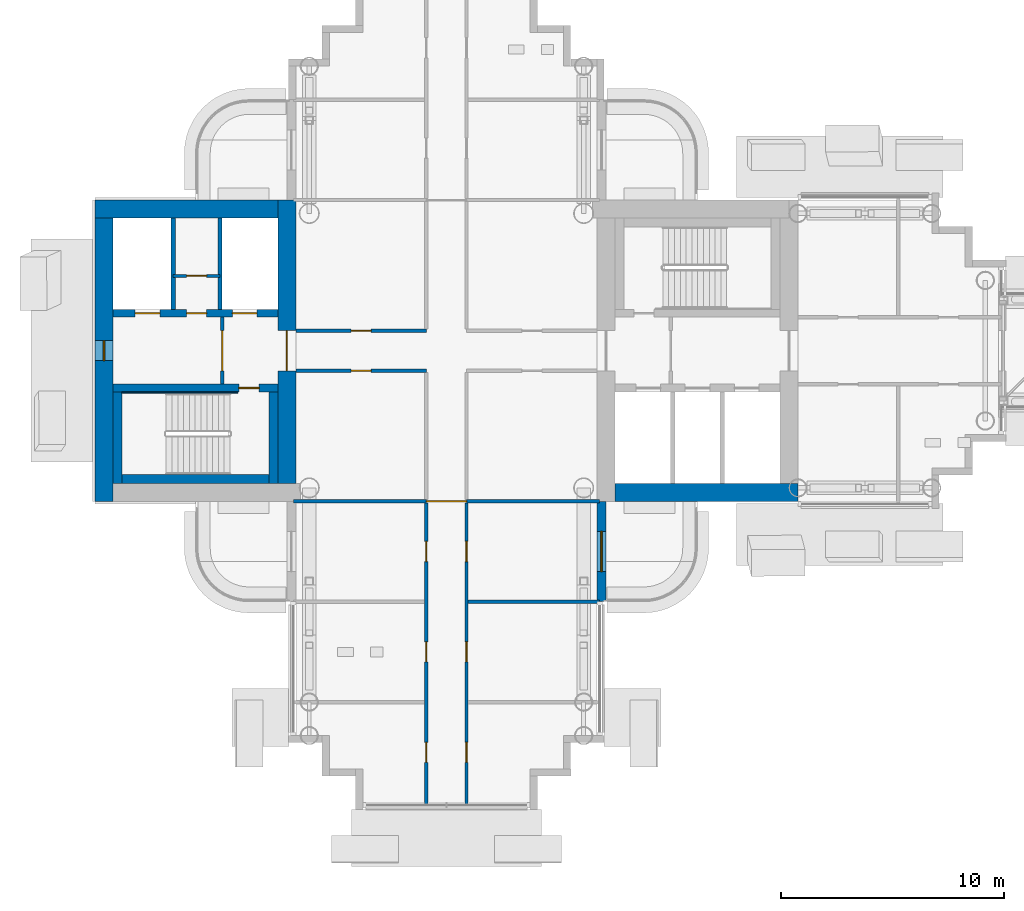
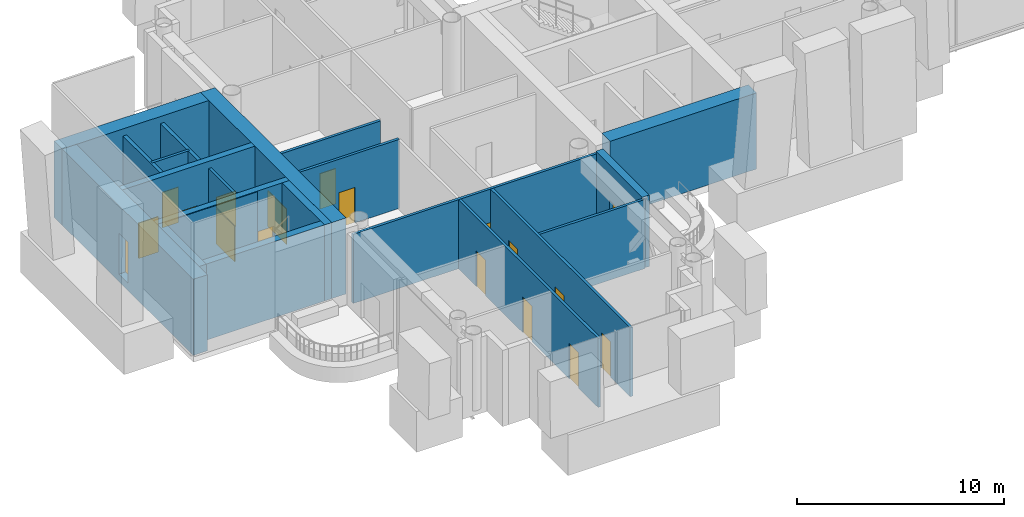
# One storey, part 12 of 26: 21 walls, 17 doors, 1 window, 18 openings.
"""IFC4 building model written with IfcOpenShell, lengths in metres."""

from ifc_helpers import new_model, si_unit, direction, frame, frame_2d, origin, place, context, subcontext, project, spatial, rectangle, extrude, material, layer, layer_set, type_object, element, fill, save


model = new_model("IFC4")

# Units and contexts
model_context = context("Model", 3, precision=1e-05, world=origin(), true_north=direction((0.0, 1.0)))
body_context = subcontext(model_context, "Body", "Model", "MODEL_VIEW")
ifc_project = project(units=[si_unit("LENGTHUNIT", "METRE"), si_unit("AREAUNIT", "SQUARE_METRE"), si_unit("VOLUMEUNIT", "CUBIC_METRE"), si_unit("PLANEANGLEUNIT", "RADIAN"), si_unit("MASSUNIT", "GRAM", prefix="KILO")], contexts=[model_context])

# Site, building, storey
site_placement = place(None, origin())
site = spatial("IfcSite", under=ifc_project, at=site_placement, CompositionType="ELEMENT")
building_placement = place(site_placement, origin())
building = spatial("IfcBuilding", under=site, at=building_placement, Name="Ipe Terrace Towers", CompositionType="ELEMENT")
storey_placement = place(building_placement, frame((0.0, 0.0, 181.300048828125)))
storey = spatial("IfcBuildingStorey", under=building, at=storey_placement, Name="L50", CompositionType="ELEMENT", Elevation=181.300048828125)

# Wall, opening, door
ifc_material_1 = material(Name="Concrete C40/50 with buff precast cladding", Category="concrete")
ifc_layer_1 = layer(ifc_material_1, 0.39990234375)
ifc_layer_set_1 = layer_set([ifc_layer_1], Name="BALCONY BAY WALL 400")
wall_type_1 = type_object("IfcWallType", Name="BALCONY BAY WALL 400", PredefinedType="STANDARD", material=ifc_layer_set_1)
wall_1_placement = place(storey_placement, frame((-29.050048828125, -11.25, -0.02001953125), z_axis=(0.0, 0.0, 1.0), x_axis=(0.0, 1.0, 0.0)))
wall_1 = element("IfcWall", 1, at=wall_1_placement, inside=storey, type_object=wall_type_1, Name="T1-W-L50-14a wall", PredefinedType="STANDARD", context=body_context, shape_type="SweptSolid", body=[
    extrude(rectangle(XDim=4.5, YDim=0.39990234375, at=frame_2d((2.25, 0.0))), origin(), (0.0, 0.0, 1.0), 4.219970703125),
])
opening_1_placement = place(wall_1_placement, frame((1.35009765625, 0.0, 0.02001953125)))
opening_1 = element("IfcOpeningElement", 2, at=opening_1_placement, cuts=wall_1, Name="Opening T1-D-L50-14", PredefinedType="OPENING", context=body_context, shape_type="SweptSolid", body=[
    extrude(rectangle(XDim=1.800048828125, YDim=2.10009765625, at=frame_2d((0.89990234375, 1.050048828125))), frame((0.0, 0.2099609375, 0.0), z_axis=(0.0, -1.0, 0.0), x_axis=(1.0, 0.0, 0.0)), (0.0, 0.0, 1.0), 0.419921875),
])
ifc_material_2 = material(Name="Aluminium alloy 6063-T6 framed glazed door", Category="aluminium")
door_type_1 = type_object("IfcDoorType", Name="BALCONY DOOR 1800 x 2100 LEFT", OperationType="SINGLE_SWING_LEFT", PredefinedType="DOOR", material=ifc_material_2)
door_1_placement = place(opening_1_placement, origin())
door_1 = element("IfcDoor", 3, at=door_1_placement, inside=storey, type_object=door_type_1, Name="DB1 door", OperationType="SINGLE_SWING_LEFT", OverallHeight=2.10009765625, OverallWidth=1.800048828125, PredefinedType="DOOR", context=body_context, shape_type="SweptSolid", body=[
    extrude(rectangle(XDim=1.800048828125, YDim=2.10009765625, at=frame_2d((0.89990234375, 1.050048828125))), frame((0.0, 0.02490234375, 0.0), z_axis=(0.0, -1.0, 0.0), x_axis=(1.0, 0.0, 0.0)), (0.0, 0.0, 1.0), 0.050048828125),
])
fill(opening_1, door_1)

ifc_material_3 = material(Name="Gypsum board partition", Category="plasterboard")
ifc_layer_2 = layer(ifc_material_3, 0.14990234375)
ifc_layer_set_2 = layer_set([ifc_layer_2], Name="Gypsum board partition 150 mm")
wall_type_2 = type_object("IfcWallType", Name="Gypsum board partition 150 mm", PredefinedType="PARTITIONING", material=ifc_layer_set_2)
wall_2_placement = place(storey_placement, frame((-46.050048828125, 1.5, 0.0), z_axis=(0.0, 0.0, 1.0), x_axis=(0.0, -1.0, 0.0)))
wall_2 = element("IfcWall", 4, at=wall_2_placement, inside=storey, type_object=wall_type_2, Name="Gypsum board partition T1 L50 t1c2-lobby-wall", PredefinedType="PARTITIONING", context=body_context, shape_type="SweptSolid", body=[
    extrude(rectangle(XDim=3.0, YDim=0.14990234375, at=frame_2d((1.5, 0.0))), origin(), (0.0, 0.0, 1.0), 4.079833984375),
])
opening_2_placement = place(wall_2_placement, frame((0.60009765625, 0.0, 0.0)))
opening_2 = element("IfcOpeningElement", 5, at=opening_2_placement, cuts=wall_2, Name="Opening T1C2-VD", PredefinedType="OPENING", context=body_context, shape_type="SweptSolid", body=[
    extrude(rectangle(XDim=1.800048828125, YDim=2.10009765625, at=frame_2d((0.89990234375, 1.050048828125))), frame((0.0, 0.0849609375, 0.0), z_axis=(0.0, -1.0, 0.0), x_axis=(1.0, 0.0, 0.0)), (0.0, 0.0, 1.0), 0.169921875),
])
ifc_material_4 = material(Name="Fire-rated timber door leaf", Category="wood")
door_type_2 = type_object("IfcDoorType", Name="Lobby door 1800 x 2100 FD60", OperationType="NOTDEFINED", PredefinedType="DOOR", material=ifc_material_4)
door_2_placement = place(opening_2_placement, origin())
door_2 = element("IfcDoor", 6, at=door_2_placement, inside=storey, type_object=door_type_2, Name="Lobby door T1C2-VD", OperationType="SINGLE_SWING_LEFT", OverallHeight=2.10009765625, OverallWidth=1.800048828125, PredefinedType="DOOR", context=body_context, shape_type="SweptSolid", body=[
    extrude(rectangle(XDim=1.800048828125, YDim=2.10009765625, at=frame_2d((0.89990234375, 1.050048828125))), frame((0.0, 0.02490234375, 0.0), z_axis=(0.0, -1.0, 0.0), x_axis=(1.0, 0.0, 0.0)), (0.0, 0.0, 1.0), 0.050048828125),
])
fill(opening_2, door_2)

wall_3_placement = place(storey_placement, frame((-46.14990234375, 3.35009765625, 0.0), z_axis=(0.0, 0.0, 1.0), x_axis=(-1.0, 0.0, 0.0)))
wall_3 = element("IfcWall", 7, at=wall_3_placement, inside=storey, type_object=wall_type_2, Name="Gypsum board partition T1 L50 t1c2-q-back", PredefinedType="PARTITIONING", context=body_context, shape_type="SweptSolid", body=[
    extrude(rectangle(XDim=2.10009765625, YDim=0.14990234375, at=frame_2d((1.050048828125, 0.0))), origin(), (0.0, 0.0, 1.0), 4.079833984375),
])
opening_3_placement = place(wall_3_placement, frame((0.60009765625, 0.0, 0.0)))
opening_3 = element("IfcOpeningElement", 8, at=opening_3_placement, cuts=wall_3, Name="Opening T1C2-RB", PredefinedType="OPENING", context=body_context, shape_type="SweptSolid", body=[
    extrude(rectangle(XDim=0.89990234375, YDim=2.10009765625, at=frame_2d((0.449951171875, 1.050048828125))), frame((0.0, 0.0849609375, 0.0), z_axis=(0.0, -1.0, 0.0), x_axis=(1.0, 0.0, 0.0)), (0.0, 0.0, 1.0), 0.169921875),
])
ifc_material_5 = material(Name="Fire-rated timber door leaf", Category="wood")
door_type_3 = type_object("IfcDoorType", Name="Service door 900 x 2100 FD60", OperationType="NOTDEFINED", PredefinedType="DOOR", material=ifc_material_5)
door_3_placement = place(opening_3_placement, origin())
door_3 = element("IfcDoor", 9, at=door_3_placement, inside=storey, type_object=door_type_3, Name="Service door T1C2-RB", OperationType="SINGLE_SWING_LEFT", OverallHeight=2.10009765625, OverallWidth=0.89990234375, PredefinedType="DOOR", context=body_context, shape_type="SweptSolid", body=[
    extrude(rectangle(XDim=0.89990234375, YDim=2.10009765625, at=frame_2d((0.449951171875, 1.050048828125))), frame((0.0, 0.02490234375, 0.0), z_axis=(0.0, -1.0, 0.0), x_axis=(1.0, 0.0, 0.0)), (0.0, 0.0, 1.0), 0.050048828125),
])
fill(opening_3, door_3)

wall_4_placement = place(storey_placement, frame((-42.75, 0.89990234375, 0.0), z_axis=(0.0, 0.0, 1.0), x_axis=(1.0, 0.0, 0.0)))
wall_4 = element("IfcWall", 10, at=wall_4_placement, inside=storey, type_object=wall_type_2, Name="Gypsum board partition T1 L50 sp-hub-qwn-x", PredefinedType="PARTITIONING", context=body_context, shape_type="SweptSolid", body=[
    extrude(rectangle(XDim=5.85009765625, YDim=0.14990234375, at=frame_2d((2.925048828125, 0.0))), origin(), (0.0, 0.0, 1.0), 4.079833984375),
])
opening_4_placement = place(wall_4_placement, frame((2.47509765625, 0.0, 0.0)))
opening_4 = element("IfcOpeningElement", 11, at=opening_4_placement, cuts=wall_4, Name="Opening T1-SP-HWN", PredefinedType="OPENING", context=body_context, shape_type="SweptSolid", body=[
    extrude(rectangle(XDim=0.89990234375, YDim=2.10009765625, at=frame_2d((0.449951171875, 1.050048828125))), frame((0.0, 0.0849609375, 0.0), z_axis=(0.0, -1.0, 0.0), x_axis=(1.0, 0.0, 0.0)), (0.0, 0.0, 1.0), 0.169921875),
])
ifc_material_6 = material(Name="Fire-rated timber door leaf", Category="wood")
door_type_4 = type_object("IfcDoorType", Name="Lounge door 900 x 2100 FD30S", OperationType="NOTDEFINED", PredefinedType="DOOR", material=ifc_material_6)
door_4_placement = place(opening_4_placement, origin())
door_4 = element("IfcDoor", 12, at=door_4_placement, inside=storey, type_object=door_type_4, Name="Lounge door T1-SP-HWN", OperationType="SINGLE_SWING_LEFT", OverallHeight=2.10009765625, OverallWidth=0.89990234375, PredefinedType="DOOR", context=body_context, shape_type="SweptSolid", body=[
    extrude(rectangle(XDim=0.89990234375, YDim=2.10009765625, at=frame_2d((0.449951171875, 1.050048828125))), frame((0.0, 0.02490234375, 0.0), z_axis=(0.0, -1.0, 0.0), x_axis=(1.0, 0.0, 0.0)), (0.0, 0.0, 1.0), 0.050048828125),
])
fill(opening_4, door_4)

wall_5_placement = place(storey_placement, frame((-42.75, -0.89990234375, 0.0), z_axis=(0.0, 0.0, 1.0), x_axis=(1.0, 0.0, 0.0)))
wall_5 = element("IfcWall", 13, at=wall_5_placement, inside=storey, type_object=wall_type_2, Name="Gypsum board partition T1 L50 sp-hub-qws-x", PredefinedType="PARTITIONING", context=body_context, shape_type="SweptSolid", body=[
    extrude(rectangle(XDim=5.85009765625, YDim=0.14990234375, at=frame_2d((2.925048828125, 0.0))), origin(), (0.0, 0.0, 1.0), 4.079833984375),
])
opening_5_placement = place(wall_5_placement, frame((2.47509765625, 0.0, 0.0)))
opening_5 = element("IfcOpeningElement", 14, at=opening_5_placement, cuts=wall_5, Name="Opening T1-SP-HWS", PredefinedType="OPENING", context=body_context, shape_type="SweptSolid", body=[
    extrude(rectangle(XDim=0.89990234375, YDim=2.10009765625, at=frame_2d((0.449951171875, 1.050048828125))), frame((0.0, 0.0849609375, 0.0), z_axis=(0.0, -1.0, 0.0), x_axis=(1.0, 0.0, 0.0)), (0.0, 0.0, 1.0), 0.169921875),
])
door_5_placement = place(opening_5_placement, origin())
door_5 = element("IfcDoor", 15, at=door_5_placement, inside=storey, type_object=door_type_4, Name="Lounge door T1-SP-HWS", OperationType="SINGLE_SWING_RIGHT", OverallHeight=2.10009765625, OverallWidth=0.89990234375, PredefinedType="DOOR", context=body_context, shape_type="SweptSolid", body=[
    extrude(rectangle(XDim=0.89990234375, YDim=2.10009765625, at=frame_2d((0.449951171875, 1.050048828125))), frame((0.0, 0.02490234375, 0.0), z_axis=(0.0, -1.0, 0.0), x_axis=(1.0, 0.0, 0.0)), (0.0, 0.0, 1.0), 0.050048828125),
])
fill(opening_5, door_5)

wall_6_placement = place(storey_placement, frame((-42.85009765625, -6.75, 0.0), z_axis=(0.0, 0.0, 1.0), x_axis=(1.0, 0.0, 0.0)))
wall_6 = element("IfcWall", 16, at=wall_6_placement, inside=storey, type_object=wall_type_2, Name="Gypsum board partition T1 L50 sp-Sm-mouth", PredefinedType="PARTITIONING", context=body_context, shape_type="SweptSolid", body=[
    extrude(rectangle(XDim=13.7001953125, YDim=0.14990234375, at=frame_2d((6.85009765625, 0.0))), origin(), (0.0, 0.0, 1.0), 4.079833984375),
])
opening_6_placement = place(wall_6_placement, frame((5.949951171875, 0.0, 0.0)))
opening_6 = element("IfcOpeningElement", 17, at=opening_6_placement, cuts=wall_6, Name="Opening T1-SP-MSm", PredefinedType="OPENING", context=body_context, shape_type="SweptSolid", body=[
    extrude(rectangle(XDim=1.800048828125, YDim=2.10009765625, at=frame_2d((0.89990234375, 1.050048828125))), frame((0.0, 0.0849609375, 0.0), z_axis=(0.0, -1.0, 0.0), x_axis=(1.0, 0.0, 0.0)), (0.0, 0.0, 1.0), 0.169921875),
])
ifc_material_7 = material(Name="Fire-rated timber door leaf", Category="wood")
door_type_5 = type_object("IfcDoorType", Name="Lobby door 1800 x 2100 FD30S", OperationType="NOTDEFINED", PredefinedType="DOOR", material=ifc_material_7)
door_6_placement = place(opening_6_placement, origin())
door_6 = element("IfcDoor", 18, at=door_6_placement, inside=storey, type_object=door_type_5, Name="Lobby door T1-SP-MSm", OperationType="SINGLE_SWING_RIGHT", OverallHeight=2.10009765625, OverallWidth=1.800048828125, PredefinedType="DOOR", context=body_context, shape_type="SweptSolid", body=[
    extrude(rectangle(XDim=1.800048828125, YDim=2.10009765625, at=frame_2d((0.89990234375, 1.050048828125))), frame((0.0, 0.02490234375, 0.0), z_axis=(0.0, -1.0, 0.0), x_axis=(1.0, 0.0, 0.0)), (0.0, 0.0, 1.0), 0.050048828125),
])
fill(opening_6, door_6)

# Wall, openings, doors
wall_7_placement = place(storey_placement, frame((-35.10009765625, -20.35009765625, 0.0), z_axis=(0.0, 0.0, 1.0), x_axis=(0.0, 1.0, 0.0)))
wall_7 = element("IfcWall", 19, at=wall_7_placement, inside=storey, type_object=wall_type_2, Name="Gypsum board partition T1 L50 sp-Sm-wp", PredefinedType="PARTITIONING", context=body_context, shape_type="SweptSolid", body=[
    extrude(rectangle(XDim=13.525146484375, YDim=0.14990234375, at=frame_2d((6.7626953125, 0.0))), origin(), (0.0, 0.0, 1.0), 4.079833984375),
])
opening_7_placement = place(wall_7_placement, frame((1.89990234375, 0.0, 0.0)))
opening_7 = element("IfcOpeningElement", 20, at=opening_7_placement, cuts=wall_7, Name="Opening T1-SP-PSm1", PredefinedType="OPENING", context=body_context, shape_type="SweptSolid", body=[
    extrude(rectangle(XDim=0.89990234375, YDim=2.10009765625, at=frame_2d((0.449951171875, 1.050048828125))), frame((0.0, 0.0849609375, 0.0), z_axis=(0.0, -1.0, 0.0), x_axis=(1.0, 0.0, 0.0)), (0.0, 0.0, 1.0), 0.169921875),
])
opening_8_placement = place(wall_7_placement, frame((6.39990234375, 0.0, 0.0)))
opening_8 = element("IfcOpeningElement", 21, at=opening_8_placement, cuts=wall_7, Name="Opening T1-SP-PSm2", PredefinedType="OPENING", context=body_context, shape_type="SweptSolid", body=[
    extrude(rectangle(XDim=0.89990234375, YDim=2.10009765625, at=frame_2d((0.449951171875, 1.050048828125))), frame((0.0, 0.0849609375, 0.0), z_axis=(0.0, -1.0, 0.0), x_axis=(1.0, 0.0, 0.0)), (0.0, 0.0, 1.0), 0.169921875),
])
opening_9_placement = place(wall_7_placement, frame((10.89990234375, 0.0, 0.0)))
opening_9 = element("IfcOpeningElement", 22, at=opening_9_placement, cuts=wall_7, Name="Opening T1-SP-PSm3", PredefinedType="OPENING", context=body_context, shape_type="SweptSolid", body=[
    extrude(rectangle(XDim=0.89990234375, YDim=2.10009765625, at=frame_2d((0.449951171875, 1.050048828125))), frame((0.0, 0.0849609375, 0.0), z_axis=(0.0, -1.0, 0.0), x_axis=(1.0, 0.0, 0.0)), (0.0, 0.0, 1.0), 0.169921875),
])
door_7_placement = place(opening_7_placement, origin())
door_7 = element("IfcDoor", 23, at=door_7_placement, inside=storey, type_object=door_type_4, Name="Lounge door T1-SP-PSm1", OperationType="SINGLE_SWING_LEFT", OverallHeight=2.10009765625, OverallWidth=0.89990234375, PredefinedType="DOOR", context=body_context, shape_type="SweptSolid", body=[
    extrude(rectangle(XDim=0.89990234375, YDim=2.10009765625, at=frame_2d((0.449951171875, 1.050048828125))), frame((0.0, 0.02490234375, 0.0), z_axis=(0.0, -1.0, 0.0), x_axis=(1.0, 0.0, 0.0)), (0.0, 0.0, 1.0), 0.050048828125),
])
fill(opening_7, door_7)
door_8_placement = place(opening_8_placement, origin())
door_8 = element("IfcDoor", 24, at=door_8_placement, inside=storey, type_object=door_type_4, Name="Lounge door T1-SP-PSm2", OperationType="SINGLE_SWING_RIGHT", OverallHeight=2.10009765625, OverallWidth=0.89990234375, PredefinedType="DOOR", context=body_context, shape_type="SweptSolid", body=[
    extrude(rectangle(XDim=0.89990234375, YDim=2.10009765625, at=frame_2d((0.449951171875, 1.050048828125))), frame((0.0, 0.02490234375, 0.0), z_axis=(0.0, -1.0, 0.0), x_axis=(1.0, 0.0, 0.0)), (0.0, 0.0, 1.0), 0.050048828125),
])
fill(opening_8, door_8)
door_9_placement = place(opening_9_placement, origin())
door_9 = element("IfcDoor", 25, at=door_9_placement, inside=storey, type_object=door_type_4, Name="Lounge door T1-SP-PSm3", OperationType="SINGLE_SWING_LEFT", OverallHeight=2.10009765625, OverallWidth=0.89990234375, PredefinedType="DOOR", context=body_context, shape_type="SweptSolid", body=[
    extrude(rectangle(XDim=0.89990234375, YDim=2.10009765625, at=frame_2d((0.449951171875, 1.050048828125))), frame((0.0, 0.02490234375, 0.0), z_axis=(0.0, -1.0, 0.0), x_axis=(1.0, 0.0, 0.0)), (0.0, 0.0, 1.0), 0.050048828125),
])
fill(opening_9, door_9)

# Wall
wall_8_placement = place(storey_placement, frame((-35.02490234375, -11.25, 0.0), z_axis=(0.0, 0.0, 1.0), x_axis=(1.0, 0.0, 0.0)))
element("IfcWall", 26, at=wall_8_placement, inside=storey, type_object=wall_type_2, Name="Gypsum board partition T1 L50 sp-Sm-dp2", PredefinedType="PARTITIONING", context=body_context, shape_type="SweptSolid", body=[
    extrude(rectangle(XDim=5.875, YDim=0.14990234375, at=frame_2d((2.9375, 0.0))), origin(), (0.0, 0.0, 1.0), 4.079833984375),
])

# Wall, openings, doors
wall_9_placement = place(storey_placement, frame((-36.89990234375, -20.35009765625, 0.0), z_axis=(0.0, 0.0, 1.0), x_axis=(0.0, 1.0, 0.0)))
wall_9 = element("IfcWall", 27, at=wall_9_placement, inside=storey, type_object=wall_type_2, Name="Gypsum board partition T1 L50 sp-Sm-wm", PredefinedType="PARTITIONING", context=body_context, shape_type="SweptSolid", body=[
    extrude(rectangle(XDim=13.525146484375, YDim=0.14990234375, at=frame_2d((6.7626953125, 0.0))), origin(), (0.0, 0.0, 1.0), 4.079833984375),
])
opening_10_placement = place(wall_9_placement, frame((1.89990234375, 0.0, 0.0)))
opening_10 = element("IfcOpeningElement", 28, at=opening_10_placement, cuts=wall_9, Name="Opening T1-SP-MSm1", PredefinedType="OPENING", context=body_context, shape_type="SweptSolid", body=[
    extrude(rectangle(XDim=0.89990234375, YDim=2.10009765625, at=frame_2d((0.449951171875, 1.050048828125))), frame((0.0, 0.0849609375, 0.0), z_axis=(0.0, -1.0, 0.0), x_axis=(1.0, 0.0, 0.0)), (0.0, 0.0, 1.0), 0.169921875),
])
opening_11_placement = place(wall_9_placement, frame((6.39990234375, 0.0, 0.0)))
opening_11 = element("IfcOpeningElement", 29, at=opening_11_placement, cuts=wall_9, Name="Opening T1-SP-MSm2-NR", PredefinedType="OPENING", context=body_context, shape_type="SweptSolid", body=[
    extrude(rectangle(XDim=0.89990234375, YDim=2.10009765625, at=frame_2d((0.449951171875, 1.050048828125))), frame((0.0, 0.0849609375, 0.0), z_axis=(0.0, -1.0, 0.0), x_axis=(1.0, 0.0, 0.0)), (0.0, 0.0, 1.0), 0.169921875),
])
opening_12_placement = place(wall_9_placement, frame((10.89990234375, 0.0, 0.0)))
opening_12 = element("IfcOpeningElement", 30, at=opening_12_placement, cuts=wall_9, Name="Opening T1-SP-MSm3-FD30S", PredefinedType="OPENING", context=body_context, shape_type="SweptSolid", body=[
    extrude(rectangle(XDim=0.89990234375, YDim=2.10009765625, at=frame_2d((0.449951171875, 1.050048828125))), frame((0.0, 0.0849609375, 0.0), z_axis=(0.0, -1.0, 0.0), x_axis=(1.0, 0.0, 0.0)), (0.0, 0.0, 1.0), 0.169921875),
])
ifc_material_8 = material(Name="Timber door leaf", Category="wood")
door_type_6 = type_object("IfcDoorType", Name="Lounge door 900 x 2100", OperationType="NOTDEFINED", PredefinedType="DOOR", material=ifc_material_8)
door_10_placement = place(opening_11_placement, origin())
door_10 = element("IfcDoor", 31, at=door_10_placement, inside=storey, type_object=door_type_6, Name="Lounge door T1-SP-MSm2-NR", OperationType="SINGLE_SWING_LEFT", OverallHeight=2.10009765625, OverallWidth=0.89990234375, PredefinedType="DOOR", context=body_context, shape_type="SweptSolid", body=[
    extrude(rectangle(XDim=0.89990234375, YDim=2.10009765625, at=frame_2d((0.449951171875, 1.050048828125))), frame((0.0, 0.02490234375, 0.0), z_axis=(0.0, -1.0, 0.0), x_axis=(1.0, 0.0, 0.0)), (0.0, 0.0, 1.0), 0.050048828125),
])
fill(opening_11, door_10)
door_11_placement = place(opening_10_placement, origin())
door_11 = element("IfcDoor", 32, at=door_11_placement, inside=storey, type_object=door_type_4, Name="Lounge door T1-SP-MSm1", OperationType="SINGLE_SWING_RIGHT", OverallHeight=2.10009765625, OverallWidth=0.89990234375, PredefinedType="DOOR", context=body_context, shape_type="SweptSolid", body=[
    extrude(rectangle(XDim=0.89990234375, YDim=2.10009765625, at=frame_2d((0.449951171875, 1.050048828125))), frame((0.0, 0.02490234375, 0.0), z_axis=(0.0, -1.0, 0.0), x_axis=(1.0, 0.0, 0.0)), (0.0, 0.0, 1.0), 0.050048828125),
])
fill(opening_10, door_11)
door_12_placement = place(opening_12_placement, origin())
door_12 = element("IfcDoor", 33, at=door_12_placement, inside=storey, type_object=door_type_4, Name="Lounge door T1-SP-MSm3-FD30S", OperationType="SINGLE_SWING_RIGHT", OverallHeight=2.10009765625, OverallWidth=0.89990234375, PredefinedType="DOOR", context=body_context, shape_type="SweptSolid", body=[
    extrude(rectangle(XDim=0.89990234375, YDim=2.10009765625, at=frame_2d((0.449951171875, 1.050048828125))), frame((0.0, 0.02490234375, 0.0), z_axis=(0.0, -1.0, 0.0), x_axis=(1.0, 0.0, 0.0)), (0.0, 0.0, 1.0), 0.050048828125),
])
fill(opening_12, door_12)

# Walls
ifc_material_9 = material(Name="Gypsum board party wall", Category="plasterboard")
ifc_layer_3 = layer(ifc_material_9, 0.199951171875)
ifc_layer_set_3 = layer_set([ifc_layer_3], Name="Gypsum board party wall 200 mm")
wall_type_3 = type_object("IfcWallType", Name="Gypsum board party wall 200 mm", PredefinedType="SOLIDWALL", material=ifc_layer_set_3)
for number, where, z_axis, x_axis, name in (
    (34, (-48.25, 5.949951171875, 0.0), (0.0, 0.0, 1.0), (0.0, -1.0, 0.0), "Gypsum board party wall T1 L50 t1c2-shaft-div2"),
    (35, (-46.14990234375, 5.949951171875, 0.0), (0.0, 0.0, 1.0), (0.0, -1.0, 0.0), "Gypsum board party wall T1 L50 t1c2-shaft-div1"),
):
    element("IfcWall", number, at=place(storey_placement, frame(where, z_axis=z_axis, x_axis=x_axis)), inside=storey, type_object=wall_type_3, Name=name, PredefinedType="SOLIDWALL", context=body_context, shape_type="SweptSolid", body=[
        extrude(rectangle(XDim=4.099853515625, YDim=0.199951171875, at=frame_2d((2.0498046875, 0.0))), origin(), (0.0, 0.0, 1.0), 4.079833984375),
    ])

# Wall, opening, door
ifc_material_10 = material(Name="Concrete C50/60", Category="concrete")
ifc_layer_4 = layer(ifc_material_10, 0.35009765625)
ifc_layer_set_4 = layer_set([ifc_layer_4], Name="RW350 CORE SPINE WALL 350 C50-60")
wall_type_4 = type_object("IfcWallType", Name="RW350 CORE SPINE WALL 350 C50-60", PredefinedType="SHEAR", material=ifc_layer_set_4)
wall_10_placement = place(storey_placement, frame((-50.949951171875, -1.675048828125, 0.0), z_axis=(0.0, 0.0, 1.0), x_axis=(1.0, 0.0, 0.0)))
wall_10 = element("IfcWall", 36, at=wall_10_placement, inside=storey, type_object=wall_type_4, Name="Core spine wall T1-C2-Z3-SW1", PredefinedType="SHEAR", context=body_context, shape_type="SweptSolid", body=[
    extrude(rectangle(XDim=7.39990234375, YDim=0.35009765625, at=frame_2d((3.699951171875, 0.0))), origin(), (0.0, 0.0, 1.0), 4.5),
])
opening_13_placement = place(wall_10_placement, frame((5.64990234375, 0.0, 0.0)))
opening_13 = element("IfcOpeningElement", 37, at=opening_13_placement, cuts=wall_10, Name="Opening T1C2-SD", PredefinedType="OPENING", context=body_context, shape_type="SweptSolid", body=[
    extrude(rectangle(XDim=0.89990234375, YDim=2.10009765625, at=frame_2d((0.449951171875, 1.050048828125))), frame((0.0, 0.18505859375, 0.0), z_axis=(0.0, -1.0, 0.0), x_axis=(1.0, 0.0, 0.0)), (0.0, 0.0, 1.0), 0.3701171875),
])
ifc_material_11 = material(Name="Fire-rated timber door leaf", Category="wood")
door_type_7 = type_object("IfcDoorType", Name="Stair door 900 x 2100 FD60", OperationType="NOTDEFINED", PredefinedType="DOOR", material=ifc_material_11)
door_13_placement = place(opening_13_placement, origin())
door_13 = element("IfcDoor", 38, at=door_13_placement, inside=storey, type_object=door_type_7, Name="Stair door T1C2-SD", OperationType="SINGLE_SWING_RIGHT", OverallHeight=2.10009765625, OverallWidth=0.89990234375, PredefinedType="DOOR", context=body_context, shape_type="SweptSolid", body=[
    extrude(rectangle(XDim=0.89990234375, YDim=2.10009765625, at=frame_2d((0.449951171875, 1.050048828125))), frame((0.0, 0.02490234375, 0.0), z_axis=(0.0, -1.0, 0.0), x_axis=(1.0, 0.0, 0.0)), (0.0, 0.0, 1.0), 0.050048828125),
])
fill(opening_13, door_13)

# Wall, openings, doors
wall_11_placement = place(storey_placement, frame((-50.949951171875, 1.675048828125, 0.0), z_axis=(0.0, 0.0, 1.0), x_axis=(1.0, 0.0, 0.0)))
wall_11 = element("IfcWall", 39, at=wall_11_placement, inside=storey, type_object=wall_type_4, Name="Core spine wall T1-C2-Z3-SW2", PredefinedType="SHEAR", context=body_context, shape_type="SweptSolid", body=[
    extrude(rectangle(XDim=7.39990234375, YDim=0.35009765625, at=frame_2d((3.699951171875, 0.0))), origin(), (0.0, 0.0, 1.0), 4.5),
])
opening_14_placement = place(wall_11_placement, frame((5.35009765625, 0.0, 0.0)))
opening_14 = element("IfcOpeningElement", 40, at=opening_14_placement, cuts=wall_11, Name="Opening T1C2-LD1", PredefinedType="OPENING", context=body_context, shape_type="SweptSolid", body=[
    extrude(rectangle(XDim=1.10009765625, YDim=2.10009765625, at=frame_2d((0.550048828125, 1.050048828125))), frame((0.0, 0.18505859375, 0.0), z_axis=(0.0, -1.0, 0.0), x_axis=(1.0, 0.0, 0.0)), (0.0, 0.0, 1.0), 0.3701171875),
])
opening_15_placement = place(wall_11_placement, frame((1.0, 0.0, 0.0)))
opening_15 = element("IfcOpeningElement", 41, at=opening_15_placement, cuts=wall_11, Name="Opening T1C2-LD3", PredefinedType="OPENING", context=body_context, shape_type="SweptSolid", body=[
    extrude(rectangle(XDim=1.10009765625, YDim=2.10009765625, at=frame_2d((0.550048828125, 1.050048828125))), frame((0.0, 0.18505859375, 0.0), z_axis=(0.0, -1.0, 0.0), x_axis=(1.0, 0.0, 0.0)), (0.0, 0.0, 1.0), 0.3701171875),
])
opening_16_placement = place(wall_11_placement, frame((3.300048828125, 0.0, 0.0)))
opening_16 = element("IfcOpeningElement", 42, at=opening_16_placement, cuts=wall_11, Name="Opening T1C2-R1-NR", PredefinedType="OPENING", context=body_context, shape_type="SweptSolid", body=[
    extrude(rectangle(XDim=0.89990234375, YDim=2.10009765625, at=frame_2d((0.449951171875, 1.050048828125))), frame((0.0, 0.18505859375, 0.0), z_axis=(0.0, -1.0, 0.0), x_axis=(1.0, 0.0, 0.0)), (0.0, 0.0, 1.0), 0.3701171875),
])
ifc_material_12 = material(Name="Fire-rated timber door leaf", Category="wood")
door_type_8 = type_object("IfcDoorType", Name="Sliding door 1100 x 2100 FD60", OperationType="SLIDING_TO_LEFT", PredefinedType="DOOR", material=ifc_material_12)
door_14_placement = place(opening_14_placement, origin())
door_14 = element("IfcDoor", 43, at=door_14_placement, inside=storey, type_object=door_type_8, Name="Sliding door T1C2-LD1", OperationType="SLIDING_TO_LEFT", OverallHeight=2.10009765625, OverallWidth=1.10009765625, PredefinedType="DOOR", context=body_context, shape_type="SweptSolid", body=[
    extrude(rectangle(XDim=1.10009765625, YDim=2.10009765625, at=frame_2d((0.550048828125, 1.050048828125))), frame((0.0, 0.02490234375, 0.0), z_axis=(0.0, -1.0, 0.0), x_axis=(1.0, 0.0, 0.0)), (0.0, 0.0, 1.0), 0.050048828125),
])
fill(opening_14, door_14)
door_15_placement = place(opening_15_placement, origin())
door_15 = element("IfcDoor", 44, at=door_15_placement, inside=storey, type_object=door_type_8, Name="Sliding door T1C2-LD3", OperationType="SLIDING_TO_LEFT", OverallHeight=2.10009765625, OverallWidth=1.10009765625, PredefinedType="DOOR", context=body_context, shape_type="SweptSolid", body=[
    extrude(rectangle(XDim=1.10009765625, YDim=2.10009765625, at=frame_2d((0.550048828125, 1.050048828125))), frame((0.0, 0.02490234375, 0.0), z_axis=(0.0, -1.0, 0.0), x_axis=(1.0, 0.0, 0.0)), (0.0, 0.0, 1.0), 0.050048828125),
])
fill(opening_15, door_15)
ifc_material_13 = material(Name="Timber door leaf", Category="wood")
door_type_9 = type_object("IfcDoorType", Name="Store door 900 x 2100", OperationType="NOTDEFINED", PredefinedType="DOOR", material=ifc_material_13)
door_16_placement = place(opening_16_placement, origin())
door_16 = element("IfcDoor", 45, at=door_16_placement, inside=storey, type_object=door_type_9, Name="Store door T1C2-R1-NR", OperationType="SINGLE_SWING_LEFT", OverallHeight=2.10009765625, OverallWidth=0.89990234375, PredefinedType="DOOR", context=body_context, shape_type="SweptSolid", body=[
    extrude(rectangle(XDim=0.89990234375, YDim=2.10009765625, at=frame_2d((0.449951171875, 1.050048828125))), frame((0.0, 0.02490234375, 0.0), z_axis=(0.0, -1.0, 0.0), x_axis=(1.0, 0.0, 0.0)), (0.0, 0.0, 1.0), 0.050048828125),
])
fill(opening_16, door_16)

# Walls
ifc_material_14 = material(Name="Concrete C50/60", Category="concrete")
ifc_layer_5 = layer(ifc_material_14, 0.39990234375)
ifc_layer_set_5 = layer_set([ifc_layer_5], Name="RW400 CORE INFILL WALL 400 C50-60")
wall_type_5 = type_object("IfcWallType", Name="RW400 CORE INFILL WALL 400 C50-60", PredefinedType="SHEAR", material=ifc_layer_set_5)
wall_12_placement = place(storey_placement, frame((-50.75, -1.85009765625, 0.0), z_axis=(0.0, 0.0, 1.0), x_axis=(0.0, -1.0, 0.0)))
element("IfcWall", 46, at=wall_12_placement, inside=storey, type_object=wall_type_5, Name="Core infill wall T1-C2-far", PredefinedType="SHEAR", context=body_context, shape_type="SweptSolid", body=[
    extrude(rectangle(XDim=4.099853515625, YDim=0.39990234375, at=frame_2d((2.0498046875, 0.0))), origin(), (0.0, 0.0, 1.0), 4.5),
])
wall_13_placement = place(storey_placement, frame((-43.949951171875, -5.75, 0.0), z_axis=(0.0, 0.0, 1.0), x_axis=(-1.0, 0.0, 0.0)))
element("IfcWall", 47, at=wall_13_placement, inside=storey, type_object=wall_type_5, Name="Core infill wall T1-C2-back", PredefinedType="SHEAR", context=body_context, shape_type="SweptSolid", body=[
    extrude(rectangle(XDim=6.60009765625, YDim=0.39990234375, at=frame_2d((3.300048828125, 0.0))), origin(), (0.0, 0.0, 1.0), 4.5),
])
wall_14_placement = place(storey_placement, frame((-43.75, -1.85009765625, 0.0), z_axis=(0.0, 0.0, 1.0), x_axis=(0.0, -1.0, 0.0)))
element("IfcWall", 48, at=wall_14_placement, inside=storey, type_object=wall_type_5, Name="Core infill wall T1-C2-near", PredefinedType="SHEAR", context=body_context, shape_type="SweptSolid", body=[
    extrude(rectangle(XDim=4.099853515625, YDim=0.39990234375, at=frame_2d((2.0498046875, 0.0))), origin(), (0.0, 0.0, 1.0), 4.5),
])
ifc_material_15 = material(Name="Concrete C50/60", Category="concrete")
ifc_layer_6 = layer(ifc_material_15, 0.050048828125)
ifc_layer_set_6 = layer_set([ifc_layer_6], Name="RW50 CORE INFILL WALL 50 C50-60")
wall_type_6 = type_object("IfcWallType", Name="RW50 CORE INFILL WALL 50 C50-60", PredefinedType="SHEAR", material=ifc_layer_set_6)
wall_15_placement = place(storey_placement, frame((-45.35009765625, -1.875, 0.0), z_axis=(0.0, 0.0, 1.0), x_axis=(-1.0, 0.0, 0.0)))
element("IfcWall", 49, at=wall_15_placement, inside=storey, type_object=wall_type_6, Name="Core infill wall T1-C2-spine-b", PredefinedType="SHEAR", context=body_context, shape_type="SweptSolid", body=[
    extrude(rectangle(XDim=5.199951171875, YDim=0.050048828125, at=frame_2d((2.60009765625, 0.0))), origin(), (0.0, 0.0, 1.0), 4.5),
])
ifc_material_16 = material(Name="Concrete C50/60", Category="concrete")
ifc_layer_7 = layer(ifc_material_16, 0.800048828125)
ifc_layer_set_7 = layer_set([ifc_layer_7], Name="RW800 CORE WALL 800 C50-60")
wall_type_7 = type_object("IfcWallType", Name="RW800 CORE WALL 800 C50-60", PredefinedType="SHEAR", material=ifc_layer_set_7)
wall_16_placement = place(storey_placement, frame((-28.449951171875, -6.35009765625, 0.0), z_axis=(0.0, 0.0, 1.0), x_axis=(1.0, 0.0, 0.0)))
element("IfcWall", 50, at=wall_16_placement, inside=storey, type_object=wall_type_7, Name="Core wall T1-C1-Z3-W01", PredefinedType="SHEAR", context=body_context, shape_type="SweptSolid", body=[
    extrude(rectangle(XDim=8.199951171875, YDim=0.800048828125, at=frame_2d((4.10009765625, 0.0))), origin(), (0.0, 0.0, 1.0), 4.5),
])

# Wall, opening, door
wall_17_placement = place(storey_placement, frame((-43.14990234375, -5.949951171875, 0.0), z_axis=(0.0, 0.0, 1.0), x_axis=(0.0, 1.0, 0.0)))
wall_17 = element("IfcWall", 51, at=wall_17_placement, inside=storey, type_object=wall_type_7, Name="Core wall T1-C2-Z3-W02", PredefinedType="SHEAR", context=body_context, shape_type="SweptSolid", body=[
    extrude(rectangle(XDim=12.699951171875, YDim=0.800048828125, at=frame_2d((6.35009765625, 0.0))), origin(), (0.0, 0.0, 1.0), 4.5),
])
opening_17_placement = place(wall_17_placement, frame((5.050048828125, 0.0, 0.0)))
opening_17 = element("IfcOpeningElement", 52, at=opening_17_placement, cuts=wall_17, Name="Opening T1C2-ND", PredefinedType="OPENING", context=body_context, shape_type="SweptSolid", body=[
    extrude(rectangle(XDim=1.800048828125, YDim=2.10009765625, at=frame_2d((0.89990234375, 1.050048828125))), frame((0.0, 0.41015625, 0.0), z_axis=(0.0, -1.0, 0.0), x_axis=(1.0, 0.0, 0.0)), (0.0, 0.0, 1.0), 0.820068359375),
])
ifc_material_17 = material(Name="Fire-rated timber door leaf", Category="wood")
door_type_10 = type_object("IfcDoorType", Name="Fire door 1800 x 2100 FD30S", OperationType="NOTDEFINED", PredefinedType="DOOR", material=ifc_material_17)
door_17_placement = place(opening_17_placement, origin())
door_17 = element("IfcDoor", 53, at=door_17_placement, inside=storey, type_object=door_type_10, Name="Fire door T1C2-ND", OperationType="SINGLE_SWING_LEFT", OverallHeight=2.10009765625, OverallWidth=1.800048828125, PredefinedType="DOOR", context=body_context, shape_type="SweptSolid", body=[
    extrude(rectangle(XDim=1.800048828125, YDim=2.10009765625, at=frame_2d((0.89990234375, 1.050048828125))), frame((0.0, 0.02490234375, 0.0), z_axis=(0.0, -1.0, 0.0), x_axis=(1.0, 0.0, 0.0)), (0.0, 0.0, 1.0), 0.050048828125),
])
fill(opening_17, door_17)

# Wall
wall_18_placement = place(storey_placement, frame((-43.550048828125, 6.35009765625, 0.0), z_axis=(0.0, 0.0, 1.0), x_axis=(-1.0, 0.0, 0.0)))
element("IfcWall", 54, at=wall_18_placement, inside=storey, type_object=wall_type_7, Name="Core wall T1-C2-Z3-W03", PredefinedType="SHEAR", context=body_context, shape_type="SweptSolid", body=[
    extrude(rectangle(XDim=8.199951171875, YDim=0.800048828125, at=frame_2d((4.10009765625, 0.0))), origin(), (0.0, 0.0, 1.0), 4.5),
])

# Wall, opening, window
wall_19_placement = place(storey_placement, frame((-51.35009765625, 5.949951171875, 0.0), z_axis=(0.0, 0.0, 1.0), x_axis=(0.0, -1.0, 0.0)))
wall_19 = element("IfcWall", 55, at=wall_19_placement, inside=storey, type_object=wall_type_7, Name="Core wall T1-C2-Z3-W04", PredefinedType="SHEAR", context=body_context, shape_type="SweptSolid", body=[
    extrude(rectangle(XDim=12.699951171875, YDim=0.800048828125, at=frame_2d((6.35009765625, 0.0))), origin(), (0.0, 0.0, 1.0), 4.5),
])
opening_18_placement = place(wall_19_placement, frame((5.5, 0.0, 0.449951171875)))
opening_18 = element("IfcOpeningElement", 56, at=opening_18_placement, cuts=wall_19, Name="Opening T1-C2-W-01-L50", PredefinedType="OPENING", context=body_context, shape_type="SweptSolid", body=[
    extrude(rectangle(XDim=0.89990234375, YDim=2.39990234375, at=frame_2d((0.449951171875, 1.199951171875))), frame((0.0, 0.41015625, 0.0), z_axis=(0.0, -1.0, 0.0), x_axis=(1.0, 0.0, 0.0)), (0.0, 0.0, 1.0), 0.820068359375),
])
ifc_material_18 = material(Name="Fire-resistant glazing EI 60", Category="glass")
window_type = type_object("IfcWindowType", Name="CORRIDOR END SLOT WINDOW 900 x 2400 EI 60", PartitioningType="SINGLE_PANEL", PredefinedType="WINDOW", material=ifc_material_18)
window_placement = place(opening_18_placement, origin())
window = element("IfcWindow", 57, at=window_placement, inside=storey, type_object=window_type, Name="W-01 window", OverallHeight=2.39990234375, OverallWidth=0.89990234375, PartitioningType="SINGLE_PANEL", PredefinedType="WINDOW", context=body_context, shape_type="SweptSolid", body=[
    extrude(rectangle(XDim=0.89990234375, YDim=2.39990234375, at=frame_2d((0.449951171875, 1.199951171875))), frame((0.0, 0.030029296875, 0.0), z_axis=(0.0, -1.0, 0.0), x_axis=(1.0, 0.0, 0.0)), (0.0, 0.0, 1.0), 0.06005859375),
])
fill(opening_18, window)

save(model, "model.ifc")
